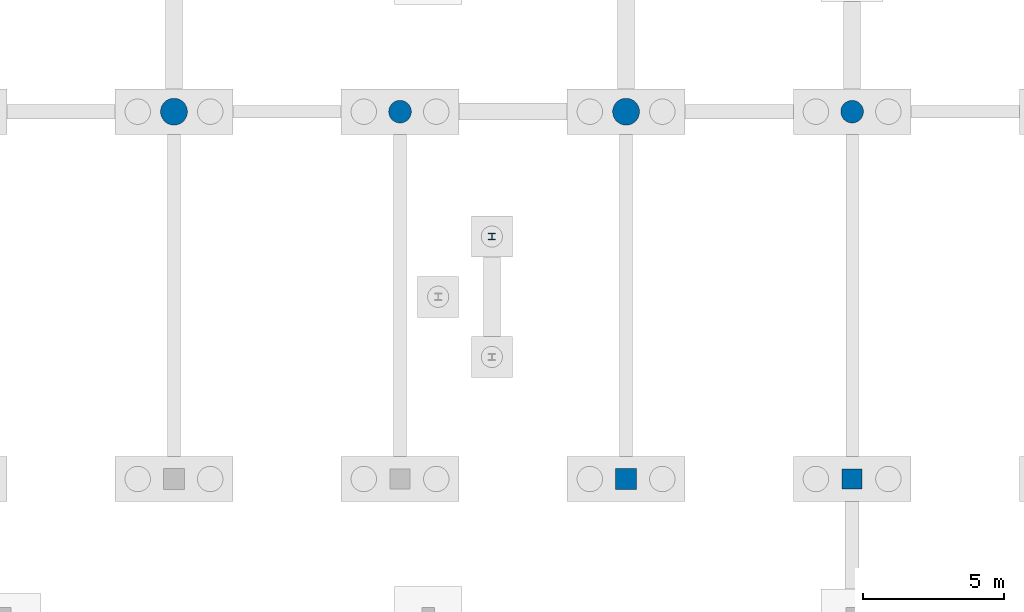
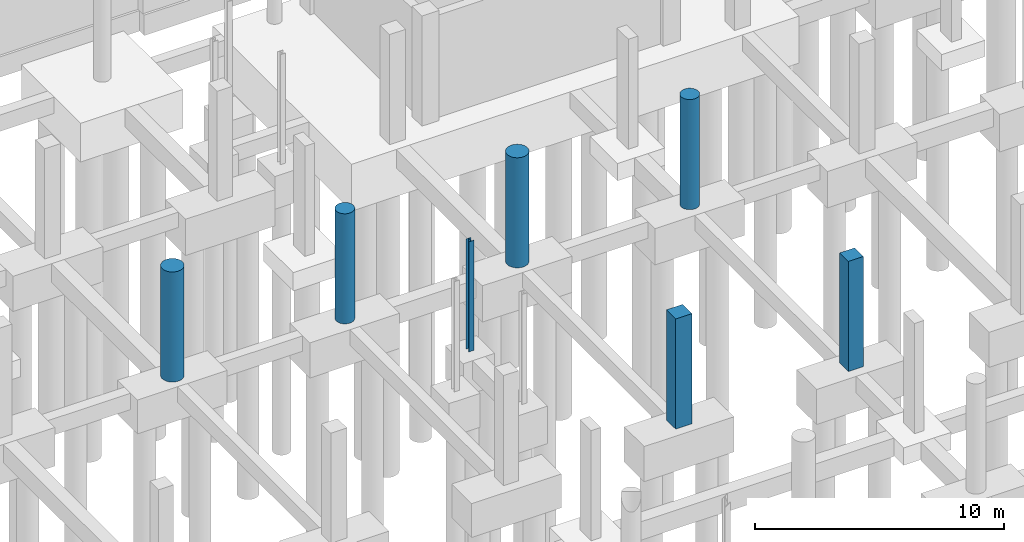
# One storey, part 41 of 65: 7 columns.
"""IFC4 building model written with IfcOpenShell, lengths in metres."""

from ifc_helpers import new_model, si_unit, direction, frame, origin, origin_2d, place, context, subcontext, project, spatial, rectangle, circle, i_section, extrude, material, material_profile, profile_set, type_object, element, save


model = new_model("IFC4")

# Units and contexts
model_context = context("Model", 3, precision=1e-05, world=origin(), true_north=direction((0.0, 1.0)))
body_context = subcontext(model_context, "Body", "Model", "MODEL_VIEW")
ifc_project = project(units=[si_unit("LENGTHUNIT", "METRE"), si_unit("AREAUNIT", "SQUARE_METRE"), si_unit("VOLUMEUNIT", "CUBIC_METRE"), si_unit("PLANEANGLEUNIT", "RADIAN"), si_unit("MASSUNIT", "GRAM", prefix="KILO")], contexts=[model_context])

# Site, building, storey
site_placement = place(None, origin())
site = spatial("IfcSite", under=ifc_project, at=site_placement, CompositionType="ELEMENT")
building_placement = place(site_placement, origin())
building = spatial("IfcBuilding", under=site, at=building_placement, Name="Khorjan Park Terminus", CompositionType="ELEMENT")
storey_placement = place(building_placement, frame((0.0, 0.0, -5.4)))
storey = spatial("IfcBuildingStorey", under=building, at=storey_placement, Name="B1", CompositionType="ELEMENT", Elevation=-5.4)

# Columns
ifc_material_1 = material(Name="Steel S355", Category="steel")
ifc_material_profile_1 = material_profile(ifc_material_1, i_section(OverallWidth=0.24, OverallDepth=0.24, WebThickness=0.01, FlangeThickness=0.017, FilletRadius=0.021, at=origin_2d()), Name="HEB 240")
ifc_profile_set_1 = profile_set([ifc_material_profile_1], Name="Steel S355")
column_type_1 = type_object("IfcColumnType", Name="COL-HB240", PredefinedType="COLUMN", material=ifc_profile_set_1)
column_1_placement = place(storey_placement, frame((67.25, 130.08, 0.0), z_axis=(0.0, 0.0, 1.0), x_axis=(1.0, 0.0, 0.0)))
element("IfcColumn", 1, at=column_1_placement, inside=storey, type_object=column_type_1, Name="Structural column SC-H24 (B1 #1004)", PredefinedType="COLUMN", context=body_context, shape_type="SweptSolid", body=[
    extrude(i_section(OverallWidth=0.24, OverallDepth=0.24, WebThickness=0.01, FlangeThickness=0.017, FilletRadius=0.021, at=origin_2d()), origin(), (0.0, 0.0, 1.0), 5.4),
])
ifc_material_2 = material(Name="Concrete C40/50", Category="concrete")
ifc_material_profile_2 = material_profile(ifc_material_2, rectangle(XDim=0.7, YDim=0.7, at=origin_2d()), Name="RC 700x700")
ifc_profile_set_2 = profile_set([ifc_material_profile_2], Name="Concrete C40/50")
column_type_2 = type_object("IfcColumnType", Name="COL-RC700", PredefinedType="COLUMN", material=ifc_profile_set_2)
column_2_placement = place(storey_placement, frame((80.0, 121.5, 0.0), z_axis=(0.0, 0.0, 1.0), x_axis=(1.0, 0.0, 0.0)))
element("IfcColumn", 2, at=column_2_placement, inside=storey, type_object=column_type_2, Name="Structural column C-RC07 (B1 #121)", PredefinedType="COLUMN", context=body_context, shape_type="SweptSolid", body=[
    extrude(rectangle(XDim=0.7, YDim=0.7, at=origin_2d()), origin(), (0.0, 0.0, 1.0), 5.4),
])
ifc_material_profile_3 = material_profile(ifc_material_2, rectangle(XDim=0.75, YDim=0.75, at=origin_2d()), Name="RC 750x750")
ifc_profile_set_3 = profile_set([ifc_material_profile_3], Name="Concrete C40/50")
column_type_3 = type_object("IfcColumnType", Name="COL-RC750", PredefinedType="COLUMN", material=ifc_profile_set_3)
column_3_placement = place(storey_placement, frame((72.0, 121.5, 0.0), z_axis=(0.0, 0.0, 1.0), x_axis=(1.0, 0.0, 0.0)))
element("IfcColumn", 3, at=column_3_placement, inside=storey, type_object=column_type_3, Name="Structural column C-RC75 (B1 #111)", PredefinedType="COLUMN", context=body_context, shape_type="SweptSolid", body=[
    extrude(rectangle(XDim=0.75, YDim=0.75, at=origin_2d()), origin(), (0.0, 0.0, 1.0), 5.4),
])
ifc_material_profile_4 = material_profile(ifc_material_2, circle(Radius=0.4, at=origin_2d()), Name="RC D800")
ifc_profile_set_4 = profile_set([ifc_material_profile_4], Name="Concrete C40/50")
column_type_4 = type_object("IfcColumnType", Name="COL-RD800", PredefinedType="COLUMN", material=ifc_profile_set_4)
for number, where, z_axis, x_axis, name in (
    (4, (64.0, 134.5, 0.0), (0.0, 0.0, 1.0), (1.0, 0.0, 0.0), "Structural column C-RD80 (B1 #98)"),
    (5, (80.0, 134.5, 0.0), (0.0, 0.0, 1.0), (1.0, 0.0, 0.0), "Structural column C-RD80 (B1 #122)"),
):
    element("IfcColumn", number, at=place(storey_placement, frame(where, z_axis=z_axis, x_axis=x_axis)), inside=storey, type_object=column_type_4, Name=name, PredefinedType="COLUMN", context=body_context, shape_type="SweptSolid", body=[
        extrude(circle(Radius=0.4, at=origin_2d()), origin(), (0.0, 0.0, 1.0), 5.4),
    ])
ifc_material_3 = material(Name="Concrete C50/60", Category="concrete")
ifc_material_profile_5 = material_profile(ifc_material_3, circle(Radius=0.475, at=origin_2d()), Name="RC D950")
ifc_profile_set_5 = profile_set([ifc_material_profile_5], Name="Concrete C50/60")
column_type_5 = type_object("IfcColumnType", Name="COL-RD950", PredefinedType="COLUMN", material=ifc_profile_set_5)
for number, where, z_axis, x_axis, name in (
    (6, (56.0, 134.5, 0.0), (0.0, 0.0, 1.0), (1.0, 0.0, 0.0), "Structural column C-RD95 (B1 #84)"),
    (7, (72.0, 134.5, 0.0), (0.0, 0.0, 1.0), (1.0, 0.0, 0.0), "Structural column C-RD95 (B1 #112)"),
):
    element("IfcColumn", number, at=place(storey_placement, frame(where, z_axis=z_axis, x_axis=x_axis)), inside=storey, type_object=column_type_5, Name=name, PredefinedType="COLUMN", context=body_context, shape_type="SweptSolid", body=[
        extrude(circle(Radius=0.475, at=origin_2d()), origin(), (0.0, 0.0, 1.0), 5.4),
    ])

save(model, "model.ifc")
